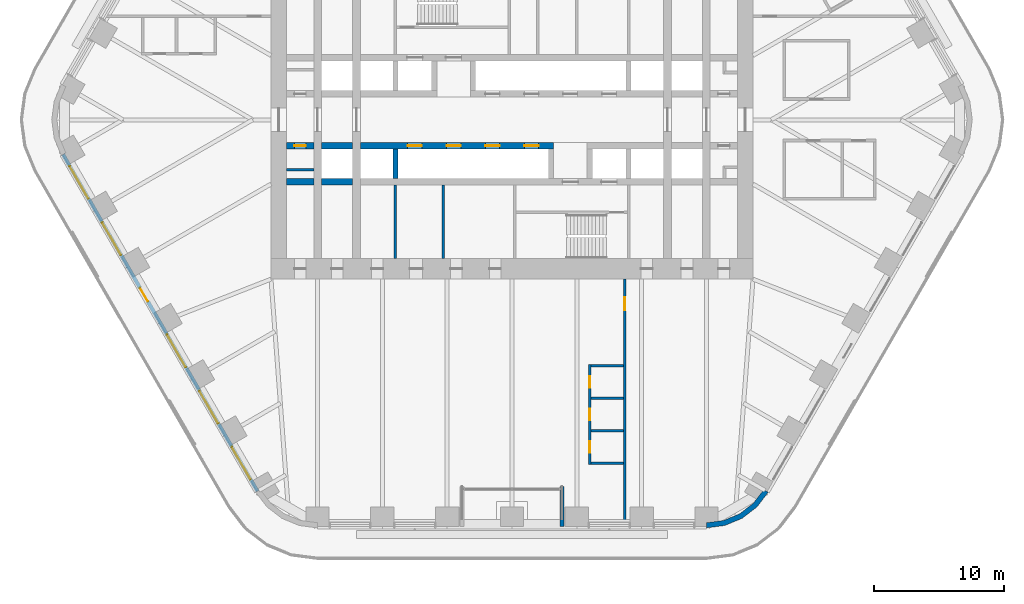
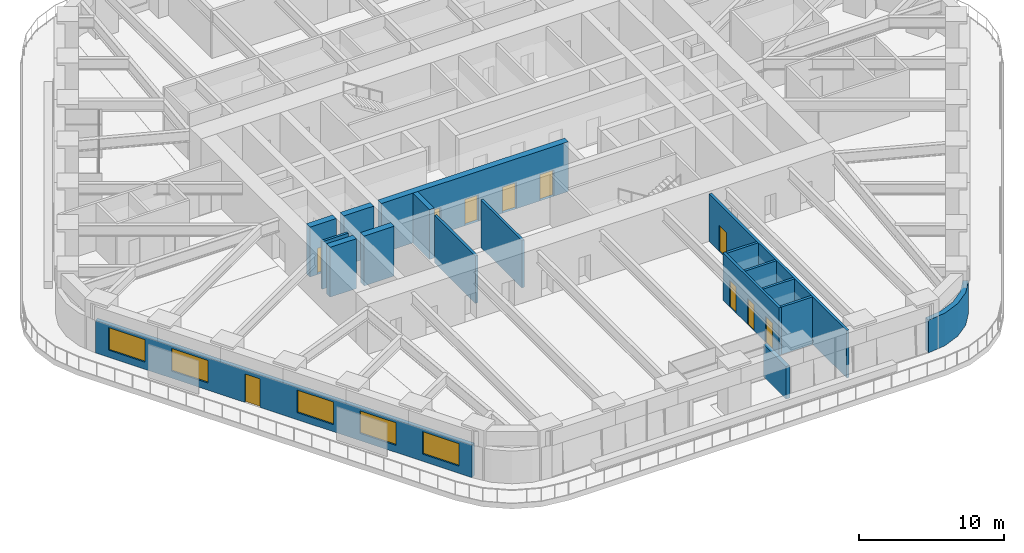
# One storey, part 17 of 24: 18 walls, 10 doors, 5 windows, 15 openings.
"""IFC4 building model written with IfcOpenShell, lengths in metres."""

from ifc_helpers import new_model, si_unit, direction, frame, frame_2d, origin, place, context, subcontext, project, spatial, polyline, rectangle, outline, extrude, material, layer, layer_set, type_object, element, fill, save


model = new_model("IFC4")

# Units and contexts
model_context = context("Model", 3, precision=1e-05, world=origin(), true_north=direction((0.0, 1.0)))
body_context = subcontext(model_context, "Body", "Model", "MODEL_VIEW")
ifc_project = project(units=[si_unit("LENGTHUNIT", "METRE"), si_unit("AREAUNIT", "SQUARE_METRE"), si_unit("VOLUMEUNIT", "CUBIC_METRE"), si_unit("PLANEANGLEUNIT", "RADIAN"), si_unit("MASSUNIT", "GRAM", prefix="KILO")], contexts=[model_context])

# Site, building, storey
site_placement = place(None, origin())
site = spatial("IfcSite", under=ifc_project, at=site_placement, CompositionType="ELEMENT")
building_placement = place(site_placement, origin())
building = spatial("IfcBuilding", under=site, at=building_placement, Name="Tarfa Lantern Tower", CompositionType="ELEMENT")
storey_placement = place(building_placement, frame((0.0, 0.0, 136.300048828125)))
storey = spatial("IfcBuildingStorey", under=building, at=storey_placement, Name="L30", CompositionType="ELEMENT", Elevation=136.300048828125)

# Wall, openings, door, windows
ifc_material_1 = material(Name="Limestone cladding on blockwork", Category="masonry")
ifc_layer_1 = layer(ifc_material_1, 0.300048828125)
ifc_layer_set_1 = layer_set([ifc_layer_1], Name="EW1 STONE-CLAD WALL 300")
wall_type_1 = type_object("IfcWallType", Name="EW1 STONE-CLAD WALL 300", PredefinedType="SOLIDWALL", material=ifc_layer_set_1)
wall_1_placement = place(storey_placement, frame((-34.655517578125, -2.675048828125, 0.0), z_axis=(0.0, 0.0, 1.0), x_axis=(0.500003084452, -0.866023622968, 0.0)))
wall_1 = element("IfcWall", 1, at=wall_1_placement, inside=storey, type_object=wall_type_1, Name="Stone wall SW", PredefinedType="SOLIDWALL", context=body_context, shape_type="SweptSolid", body=[
    extrude(rectangle(XDim=30.022216796875, YDim=0.300048828125, at=frame_2d((15.01123046875, 0.0))), origin(), (0.0, 0.0, 1.0), 2.75),
])
opening_1_placement = place(wall_1_placement, frame((1.0517578125, 0.0, 0.60009765625)))
opening_1 = element("IfcOpeningElement", 2, at=opening_1_placement, cuts=wall_1, Name="Opening W9", PredefinedType="OPENING", context=body_context, shape_type="SweptSolid", body=[
    extrude(rectangle(XDim=2.89990234375, YDim=1.89990234375, at=frame_2d((1.449951171875, 0.949951171875))), frame((0.0, 0.159912109375, 0.0), z_axis=(0.0, -1.0, 0.0), x_axis=(1.0, 0.0, 0.0)), (0.0, 0.0, 1.0), 0.320068359375),
])
opening_2_placement = place(wall_1_placement, frame((6.0556640625, 0.0, 0.60009765625)))
opening_2 = element("IfcOpeningElement", 3, at=opening_2_placement, cuts=wall_1, Name="Opening W9", PredefinedType="OPENING", context=body_context, shape_type="SweptSolid", body=[
    extrude(rectangle(XDim=2.89990234375, YDim=1.89990234375, at=frame_2d((1.449951171875, 0.949951171875))), frame((0.0, 0.159912109375, 0.0), z_axis=(0.0, -1.0, 0.0), x_axis=(1.0, 0.0, 0.0)), (0.0, 0.0, 1.0), 0.320068359375),
])
opening_3_placement = place(wall_1_placement, frame((11.9091796875, 0.0, 0.0)))
opening_3 = element("IfcOpeningElement", 4, at=opening_3_placement, cuts=wall_1, Name="Opening D51", PredefinedType="OPENING", context=body_context, shape_type="SweptSolid", body=[
    extrude(rectangle(XDim=1.199951171875, YDim=2.39990234375, at=frame_2d((0.60009765625, 1.199951171875))), frame((0.0, 0.159912109375, 0.0), z_axis=(0.0, -1.0, 0.0), x_axis=(1.0, 0.0, 0.0)), (0.0, 0.0, 1.0), 0.320068359375),
])
opening_4_placement = place(wall_1_placement, frame((16.06298828125, 0.0, 0.60009765625)))
opening_4 = element("IfcOpeningElement", 5, at=opening_4_placement, cuts=wall_1, Name="Opening W9", PredefinedType="OPENING", context=body_context, shape_type="SweptSolid", body=[
    extrude(rectangle(XDim=2.89990234375, YDim=1.89990234375, at=frame_2d((1.449951171875, 0.949951171875))), frame((0.0, 0.159912109375, 0.0), z_axis=(0.0, -1.0, 0.0), x_axis=(1.0, 0.0, 0.0)), (0.0, 0.0, 1.0), 0.320068359375),
])
opening_5_placement = place(wall_1_placement, frame((21.066650390625, 0.0, 0.60009765625)))
opening_5 = element("IfcOpeningElement", 6, at=opening_5_placement, cuts=wall_1, Name="Opening W9", PredefinedType="OPENING", context=body_context, shape_type="SweptSolid", body=[
    extrude(rectangle(XDim=2.89990234375, YDim=1.89990234375, at=frame_2d((1.449951171875, 0.949951171875))), frame((0.0, 0.159912109375, 0.0), z_axis=(0.0, -1.0, 0.0), x_axis=(1.0, 0.0, 0.0)), (0.0, 0.0, 1.0), 0.320068359375),
])
opening_6_placement = place(wall_1_placement, frame((26.0703125, 0.0, 0.60009765625)))
opening_6 = element("IfcOpeningElement", 7, at=opening_6_placement, cuts=wall_1, Name="Opening W9", PredefinedType="OPENING", context=body_context, shape_type="SweptSolid", body=[
    extrude(rectangle(XDim=2.89990234375, YDim=1.89990234375, at=frame_2d((1.449951171875, 0.949951171875))), frame((0.0, 0.159912109375, 0.0), z_axis=(0.0, -1.0, 0.0), x_axis=(1.0, 0.0, 0.0)), (0.0, 0.0, 1.0), 0.320068359375),
])
ifc_material_2 = material(Name="Aluminium framed glazed door", Category="aluminium")
door_type_1 = type_object("IfcDoorType", Name="BE3 BALCONY DOOR 1200x2400", OperationType="SINGLE_SWING_RIGHT", PredefinedType="DOOR", material=ifc_material_2)
door_1_placement = place(opening_3_placement, origin())
door_1 = element("IfcDoor", 8, at=door_1_placement, inside=storey, type_object=door_type_1, Name="Balcony door SW", OperationType="SINGLE_SWING_RIGHT", OverallHeight=2.39990234375, OverallWidth=1.199951171875, PredefinedType="DOOR", context=body_context, shape_type="SweptSolid", body=[
    extrude(rectangle(XDim=1.199951171875, YDim=2.39990234375, at=frame_2d((0.60009765625, 1.199951171875))), frame((0.0, 0.02490234375, 0.0), z_axis=(0.0, -1.0, 0.0), x_axis=(1.0, 0.0, 0.0)), (0.0, 0.0, 1.0), 0.050048828125),
])
fill(opening_3, door_1)
ifc_material_3 = material(Name="Aluminium frame, double glazed", Category="aluminium")
window_type = type_object("IfcWindowType", Name="W9 FULL-HEIGHT GLAZING 2900x1900", PartitioningType="SINGLE_PANEL", PredefinedType="WINDOW", material=ifc_material_3)
window_1_placement = place(opening_1_placement, origin())
window_1 = element("IfcWindow", 9, at=window_1_placement, inside=storey, type_object=window_type, Name="Window SW 1", OverallHeight=1.89990234375, OverallWidth=2.89990234375, PartitioningType="SINGLE_PANEL", PredefinedType="WINDOW", context=body_context, shape_type="SweptSolid", body=[
    extrude(rectangle(XDim=2.89990234375, YDim=1.89990234375, at=frame_2d((1.449951171875, 0.949951171875))), frame((0.0, 0.030029296875, 0.0), z_axis=(0.0, -1.0, 0.0), x_axis=(1.0, 0.0, 0.0)), (0.0, 0.0, 1.0), 0.06005859375),
])
fill(opening_1, window_1)
window_2_placement = place(opening_2_placement, origin())
window_2 = element("IfcWindow", 10, at=window_2_placement, inside=storey, type_object=window_type, Name="Window SW 2", OverallHeight=1.89990234375, OverallWidth=2.89990234375, PartitioningType="SINGLE_PANEL", PredefinedType="WINDOW", context=body_context, shape_type="SweptSolid", body=[
    extrude(rectangle(XDim=2.89990234375, YDim=1.89990234375, at=frame_2d((1.449951171875, 0.949951171875))), frame((0.0, 0.030029296875, 0.0), z_axis=(0.0, -1.0, 0.0), x_axis=(1.0, 0.0, 0.0)), (0.0, 0.0, 1.0), 0.06005859375),
])
fill(opening_2, window_2)
window_3_placement = place(opening_4_placement, origin())
window_3 = element("IfcWindow", 11, at=window_3_placement, inside=storey, type_object=window_type, Name="Window SW 4", OverallHeight=1.89990234375, OverallWidth=2.89990234375, PartitioningType="SINGLE_PANEL", PredefinedType="WINDOW", context=body_context, shape_type="SweptSolid", body=[
    extrude(rectangle(XDim=2.89990234375, YDim=1.89990234375, at=frame_2d((1.449951171875, 0.949951171875))), frame((0.0, 0.030029296875, 0.0), z_axis=(0.0, -1.0, 0.0), x_axis=(1.0, 0.0, 0.0)), (0.0, 0.0, 1.0), 0.06005859375),
])
fill(opening_4, window_3)
window_4_placement = place(opening_5_placement, origin())
window_4 = element("IfcWindow", 12, at=window_4_placement, inside=storey, type_object=window_type, Name="Window SW 5", OverallHeight=1.89990234375, OverallWidth=2.89990234375, PartitioningType="SINGLE_PANEL", PredefinedType="WINDOW", context=body_context, shape_type="SweptSolid", body=[
    extrude(rectangle(XDim=2.89990234375, YDim=1.89990234375, at=frame_2d((1.449951171875, 0.949951171875))), frame((0.0, 0.030029296875, 0.0), z_axis=(0.0, -1.0, 0.0), x_axis=(1.0, 0.0, 0.0)), (0.0, 0.0, 1.0), 0.06005859375),
])
fill(opening_5, window_4)
window_5_placement = place(opening_6_placement, origin())
window_5 = element("IfcWindow", 13, at=window_5_placement, inside=storey, type_object=window_type, Name="Window SW 6", OverallHeight=1.89990234375, OverallWidth=2.89990234375, PartitioningType="SINGLE_PANEL", PredefinedType="WINDOW", context=body_context, shape_type="SweptSolid", body=[
    extrude(rectangle(XDim=2.89990234375, YDim=1.89990234375, at=frame_2d((1.449951171875, 0.949951171875))), frame((0.0, 0.030029296875, 0.0), z_axis=(0.0, -1.0, 0.0), x_axis=(1.0, 0.0, 0.0)), (0.0, 0.0, 1.0), 0.06005859375),
])
fill(opening_6, window_5)

# Walls
wall_2_placement = place(storey_placement, frame((3.853759765625, -31.39990234375, 0.0), z_axis=(0.0, 0.0, 1.0), x_axis=(0.0, 1.0, 0.0)))
element("IfcWall", 14, at=wall_2_placement, inside=storey, type_object=wall_type_1, Name="Loggia return S 2", PredefinedType="SOLIDWALL", context=body_context, shape_type="SweptSolid", body=[
    extrude(rectangle(XDim=3.099853515625, YDim=0.300048828125, at=frame_2d((1.5498046875, 0.0))), origin(), (0.0, 0.0, 1.0), 2.75),
])
ifc_layer_2 = layer(ifc_material_1, 0.39990234375)
ifc_layer_set_2 = layer_set([ifc_layer_2], Name="EW2 CURVED STONE CORNER 400")
wall_type_2 = type_object("IfcWallType", Name="EW2 CURVED STONE CORNER 400", PredefinedType="SOLIDWALL", material=ifc_layer_set_2)
wall_3_placement = place(storey_placement, origin())
element("IfcWall", 15, at=wall_3_placement, inside=storey, type_object=wall_type_2, Name="Stone corner S-SE", PredefinedType="SOLIDWALL", context=body_context, shape_type="SweptSolid", body=[
    extrude(outline(polyline([(15.010986328125, -31.5), (16.4345703125, -31.3125), (17.760986328125, -30.76318359375), (18.900146484375, -29.88916015625), (19.774169921875, -28.75), (19.427734375, -28.550048828125), (18.617431640625, -29.606201171875), (17.56103515625, -30.416748046875), (16.3310546875, -30.92626953125), (15.010986328125, -31.10009765625), (15.010986328125, -31.5)])), origin(), (0.0, 0.0, 1.0), 2.75),
])
ifc_material_4 = material(Name="Concrete blockwork", Category="masonry")
ifc_layer_3 = layer(ifc_material_4, 0.199951171875)
ifc_layer_set_3 = layer_set([ifc_layer_3], Name="IW1 BLOCKWORK PARTITION 200 EI 120")
wall_type_3 = type_object("IfcWallType", Name="IW1 BLOCKWORK PARTITION 200 EI 120", PredefinedType="PARTITIONING", material=ifc_layer_set_3)
for number, where, z_axis, x_axis, name in (
    (16, (-9.0, -5.050048828125, 0.0), (0.0, 0.0, 1.0), (0.0, -1.0, 0.0), "Core partition"),
    (17, (-5.300048828125, -5.050048828125, 0.0), (0.0, 0.0, 1.0), (0.0, -1.0, 0.0), "Core partition"),
):
    element("IfcWall", number, at=place(storey_placement, frame(where, z_axis=z_axis, x_axis=x_axis)), inside=storey, type_object=wall_type_3, Name=name, PredefinedType="PARTITIONING", context=body_context, shape_type="SweptSolid", body=[
        extrude(rectangle(XDim=5.64990234375, YDim=0.199951171875, at=frame_2d((2.824951171875, 0.0))), origin(), (0.0, 0.0, 1.0), 4.0),
    ])
wall_4_placement = place(storey_placement, frame((-15.300048828125, -3.85009765625, 0.0), z_axis=(0.0, 0.0, 1.0), x_axis=(-1.0, 0.0, 0.0)))
element("IfcWall", 18, at=wall_4_placement, inside=storey, type_object=wall_type_3, Name="Core partition", PredefinedType="PARTITIONING", context=body_context, shape_type="SweptSolid", body=[
    extrude(rectangle(XDim=2.099853515625, YDim=0.199951171875, at=frame_2d((1.0498046875, 0.0))), origin(), (0.0, 0.0, 1.0), 4.0),
])

# Wall, opening, door
ifc_material_5 = material(Name="Gypsum board on steel studs", Category="steel")
ifc_layer_4 = layer(ifc_material_5, 0.2099609375)
ifc_layer_set_4 = layer_set([ifc_layer_4], Name="IW2 ACOUSTIC PARTITION 200")
wall_type_4 = type_object("IfcWallType", Name="IW2 ACOUSTIC PARTITION 200", PredefinedType="PARTITIONING", material=ifc_layer_set_4)
wall_5_placement = place(storey_placement, frame((8.699951171875, -12.300048828125, 0.0), z_axis=(0.0, 0.0, 1.0), x_axis=(0.0, -1.0, 0.0)))
wall_5 = element("IfcWall", 19, at=wall_5_placement, inside=storey, type_object=wall_type_4, Name="Partition", PredefinedType="PARTITIONING", context=body_context, shape_type="SweptSolid", body=[
    extrude(rectangle(XDim=19.0, YDim=0.199951171875, at=frame_2d((9.5, 0.0))), origin(), (0.0, 0.0, 1.0), 4.0),
])
opening_7_placement = place(wall_5_placement, frame((1.39990234375, 0.0, 0.0)))
opening_7 = element("IfcOpeningElement", 20, at=opening_7_placement, cuts=wall_5, Name="Opening D47", PredefinedType="OPENING", context=body_context, shape_type="SweptSolid", body=[
    extrude(rectangle(XDim=1.0, YDim=2.199951171875, at=frame_2d((0.5, 1.10009765625))), frame((0.0, 0.10986328125, 0.0), z_axis=(0.0, -1.0, 0.0), x_axis=(1.0, 0.0, 0.0)), (0.0, 0.0, 1.0), 0.219970703125),
])
ifc_material_6 = material(Name="Timber door", Category="wood")
door_type_2 = type_object("IfcDoorType", Name="DR1 ROOM DOOR 1000x2200", OperationType="SINGLE_SWING_LEFT", PredefinedType="DOOR", material=ifc_material_6)
door_2_placement = place(opening_7_placement, origin())
door_2 = element("IfcDoor", 21, at=door_2_placement, inside=storey, type_object=door_type_2, Name="Zone door", OperationType="SINGLE_SWING_RIGHT", OverallHeight=2.199951171875, OverallWidth=1.0, PredefinedType="DOOR", context=body_context, shape_type="SweptSolid", body=[
    extrude(rectangle(XDim=1.0, YDim=2.199951171875, at=frame_2d((0.5, 1.10009765625))), frame((0.0, 0.02490234375, 0.0), z_axis=(0.0, -1.0, 0.0), x_axis=(1.0, 0.0, 0.0)), (0.0, 0.0, 1.0), 0.050048828125),
])
fill(opening_7, door_2)

# Wall, openings, doors
wall_6_placement = place(storey_placement, frame((6.0, -18.89990234375, 0.0), z_axis=(0.0, 0.0, 1.0), x_axis=(0.0, -1.0, 0.0)))
wall_6 = element("IfcWall", 22, at=wall_6_placement, inside=storey, type_object=wall_type_4, Name="Partition", PredefinedType="PARTITIONING", context=body_context, shape_type="SweptSolid", body=[
    extrude(rectangle(XDim=7.7001953125, YDim=0.199951171875, at=frame_2d((3.85009765625, 0.0))), origin(), (0.0, 0.0, 1.0), 4.0),
])
opening_8_placement = place(wall_6_placement, frame((0.89990234375, 0.0, 0.0)))
opening_8 = element("IfcOpeningElement", 23, at=opening_8_placement, cuts=wall_6, Name="Opening D43", PredefinedType="OPENING", context=body_context, shape_type="SweptSolid", body=[
    extrude(rectangle(XDim=0.89990234375, YDim=2.199951171875, at=frame_2d((0.449951171875, 1.10009765625))), frame((0.0, 0.10986328125, 0.0), z_axis=(0.0, -1.0, 0.0), x_axis=(1.0, 0.0, 0.0)), (0.0, 0.0, 1.0), 0.219970703125),
])
opening_9_placement = place(wall_6_placement, frame((3.39990234375, 0.0, 0.0)))
opening_9 = element("IfcOpeningElement", 24, at=opening_9_placement, cuts=wall_6, Name="Opening D44", PredefinedType="OPENING", context=body_context, shape_type="SweptSolid", body=[
    extrude(rectangle(XDim=0.89990234375, YDim=2.199951171875, at=frame_2d((0.449951171875, 1.10009765625))), frame((0.0, 0.10986328125, 0.0), z_axis=(0.0, -1.0, 0.0), x_axis=(1.0, 0.0, 0.0)), (0.0, 0.0, 1.0), 0.219970703125),
])
opening_10_placement = place(wall_6_placement, frame((5.89990234375, 0.0, 0.0)))
opening_10 = element("IfcOpeningElement", 25, at=opening_10_placement, cuts=wall_6, Name="Opening D45", PredefinedType="OPENING", context=body_context, shape_type="SweptSolid", body=[
    extrude(rectangle(XDim=0.89990234375, YDim=2.199951171875, at=frame_2d((0.449951171875, 1.10009765625))), frame((0.0, 0.10986328125, 0.0), z_axis=(0.0, -1.0, 0.0), x_axis=(1.0, 0.0, 0.0)), (0.0, 0.0, 1.0), 0.219970703125),
])
door_type_3 = type_object("IfcDoorType", Name="DR3 ROOM DOOR 900x2200", OperationType="SINGLE_SWING_LEFT", PredefinedType="DOOR", material=ifc_material_6)
door_3_placement = place(opening_8_placement, origin())
door_3 = element("IfcDoor", 26, at=door_3_placement, inside=storey, type_object=door_type_3, Name="Focus room door", OperationType="SINGLE_SWING_RIGHT", OverallHeight=2.199951171875, OverallWidth=0.89990234375, PredefinedType="DOOR", context=body_context, shape_type="SweptSolid", body=[
    extrude(rectangle(XDim=0.89990234375, YDim=2.199951171875, at=frame_2d((0.449951171875, 1.10009765625))), frame((0.0, 0.02490234375, 0.0), z_axis=(0.0, -1.0, 0.0), x_axis=(1.0, 0.0, 0.0)), (0.0, 0.0, 1.0), 0.050048828125),
])
fill(opening_8, door_3)
door_4_placement = place(opening_9_placement, origin())
door_4 = element("IfcDoor", 27, at=door_4_placement, inside=storey, type_object=door_type_3, Name="Focus room door", OperationType="SINGLE_SWING_RIGHT", OverallHeight=2.199951171875, OverallWidth=0.89990234375, PredefinedType="DOOR", context=body_context, shape_type="SweptSolid", body=[
    extrude(rectangle(XDim=0.89990234375, YDim=2.199951171875, at=frame_2d((0.449951171875, 1.10009765625))), frame((0.0, 0.02490234375, 0.0), z_axis=(0.0, -1.0, 0.0), x_axis=(1.0, 0.0, 0.0)), (0.0, 0.0, 1.0), 0.050048828125),
])
fill(opening_9, door_4)
door_5_placement = place(opening_10_placement, origin())
door_5 = element("IfcDoor", 28, at=door_5_placement, inside=storey, type_object=door_type_3, Name="Focus room door", OperationType="SINGLE_SWING_LEFT", OverallHeight=2.199951171875, OverallWidth=0.89990234375, PredefinedType="DOOR", context=body_context, shape_type="SweptSolid", body=[
    extrude(rectangle(XDim=0.89990234375, YDim=2.199951171875, at=frame_2d((0.449951171875, 1.10009765625))), frame((0.0, 0.02490234375, 0.0), z_axis=(0.0, -1.0, 0.0), x_axis=(1.0, 0.0, 0.0)), (0.0, 0.0, 1.0), 0.050048828125),
])
fill(opening_10, door_5)

# Walls
for number, where, z_axis, x_axis, name in (
    (29, (8.60009765625, -19.0, 0.0), (0.0, 0.0, 1.0), (-1.0, 0.0, 0.0), "Partition"),
    (30, (8.60009765625, -21.5, 0.0), (0.0, 0.0, 1.0), (-1.0, 0.0, 0.0), "Partition"),
    (31, (8.60009765625, -24.0, 0.0), (0.0, 0.0, 1.0), (-1.0, 0.0, 0.0), "Partition"),
    (32, (8.60009765625, -26.5, 0.0), (0.0, 0.0, 1.0), (-1.0, 0.0, 0.0), "Partition"),
):
    element("IfcWall", number, at=place(storey_placement, frame(where, z_axis=z_axis, x_axis=x_axis)), inside=storey, type_object=wall_type_4, Name=name, PredefinedType="PARTITIONING", context=body_context, shape_type="SweptSolid", body=[
        extrude(rectangle(XDim=2.5, YDim=0.199951171875, at=frame_2d((1.25, 0.0))), origin(), (0.0, 0.0, 1.0), 4.0),
    ])

# Wall, openings, doors
ifc_material_7 = material(Name="Concrete C80/95", Category="concrete")
ifc_layer_5 = layer(ifc_material_7, 0.5)
ifc_layer_set_5 = layer_set([ifc_layer_5], Name="SW5 CORE WALL 500")
wall_type_5 = type_object("IfcWallType", Name="SW5 CORE WALL 500", PredefinedType="SHEAR", material=ifc_layer_set_5)
wall_7_placement = place(storey_placement, frame((3.199951171875, -2.0, 0.0), z_axis=(0.0, 0.0, 1.0), x_axis=(-1.0, 0.0, 0.0)))
wall_7 = element("IfcWall", 33, at=wall_7_placement, inside=storey, type_object=wall_type_5, Name="Core wall lobby east S", PredefinedType="SHEAR", context=body_context, shape_type="SweptSolid", body=[
    extrude(rectangle(XDim=14.89990234375, YDim=0.5, at=frame_2d((7.449951171875, 0.0))), origin(), (0.0, 0.0, 1.0), 4.199951171875),
])
opening_11_placement = place(wall_7_placement, frame((1.14990234375, 0.0, 0.0)))
opening_11 = element("IfcOpeningElement", 34, at=opening_11_placement, cuts=wall_7, Name="Opening LD07", PredefinedType="OPENING", context=body_context, shape_type="SweptSolid", body=[
    extrude(rectangle(XDim=1.10009765625, YDim=2.199951171875, at=frame_2d((0.550048828125, 1.10009765625))), frame((0.0, 0.260009765625, 0.0), z_axis=(0.0, -1.0, 0.0), x_axis=(1.0, 0.0, 0.0)), (0.0, 0.0, 1.0), 0.52001953125),
])
opening_12_placement = place(wall_7_placement, frame((4.14990234375, 0.0, 0.0)))
opening_12 = element("IfcOpeningElement", 35, at=opening_12_placement, cuts=wall_7, Name="Opening LD08", PredefinedType="OPENING", context=body_context, shape_type="SweptSolid", body=[
    extrude(rectangle(XDim=1.10009765625, YDim=2.199951171875, at=frame_2d((0.550048828125, 1.10009765625))), frame((0.0, 0.260009765625, 0.0), z_axis=(0.0, -1.0, 0.0), x_axis=(1.0, 0.0, 0.0)), (0.0, 0.0, 1.0), 0.52001953125),
])
opening_13_placement = place(wall_7_placement, frame((7.14990234375, 0.0, 0.0)))
opening_13 = element("IfcOpeningElement", 36, at=opening_13_placement, cuts=wall_7, Name="Opening LD09", PredefinedType="OPENING", context=body_context, shape_type="SweptSolid", body=[
    extrude(rectangle(XDim=1.10009765625, YDim=2.199951171875, at=frame_2d((0.550048828125, 1.10009765625))), frame((0.0, 0.260009765625, 0.0), z_axis=(0.0, -1.0, 0.0), x_axis=(1.0, 0.0, 0.0)), (0.0, 0.0, 1.0), 0.52001953125),
])
opening_14_placement = place(wall_7_placement, frame((10.14990234375, 0.0, 0.0)))
opening_14 = element("IfcOpeningElement", 37, at=opening_14_placement, cuts=wall_7, Name="Opening LD10", PredefinedType="OPENING", context=body_context, shape_type="SweptSolid", body=[
    extrude(rectangle(XDim=1.10009765625, YDim=2.199951171875, at=frame_2d((0.550048828125, 1.10009765625))), frame((0.0, 0.260009765625, 0.0), z_axis=(0.0, -1.0, 0.0), x_axis=(1.0, 0.0, 0.0)), (0.0, 0.0, 1.0), 0.52001953125),
])
ifc_material_8 = material(Name="Stainless steel lift door", Category="steel")
door_type_4 = type_object("IfcDoorType", Name="LD2 LIFT LANDING DOOR 1100x2200", OperationType="SLIDING_TO_LEFT", PredefinedType="DOOR", material=ifc_material_8)
door_6_placement = place(opening_11_placement, frame((1.10009765625, 0.0, 0.0), z_axis=(0.0, 0.0, 1.0), x_axis=(-1.0, 0.0, 0.0)))
door_6 = element("IfcDoor", 38, at=door_6_placement, inside=storey, type_object=door_type_4, Name="Landing door PB5", OperationType="SLIDING_TO_LEFT", OverallHeight=2.199951171875, OverallWidth=1.10009765625, PredefinedType="DOOR", context=body_context, shape_type="SweptSolid", body=[
    extrude(rectangle(XDim=1.10009765625, YDim=2.199951171875, at=frame_2d((0.550048828125, 1.10009765625))), frame((0.0, 0.02490234375, 0.0), z_axis=(0.0, -1.0, 0.0), x_axis=(1.0, 0.0, 0.0)), (0.0, 0.0, 1.0), 0.050048828125),
])
fill(opening_11, door_6)
door_7_placement = place(opening_12_placement, frame((1.10009765625, 0.0, 0.0), z_axis=(0.0, 0.0, 1.0), x_axis=(-1.0, 0.0, 0.0)))
door_7 = element("IfcDoor", 39, at=door_7_placement, inside=storey, type_object=door_type_4, Name="Landing door PB6", OperationType="SLIDING_TO_LEFT", OverallHeight=2.199951171875, OverallWidth=1.10009765625, PredefinedType="DOOR", context=body_context, shape_type="SweptSolid", body=[
    extrude(rectangle(XDim=1.10009765625, YDim=2.199951171875, at=frame_2d((0.550048828125, 1.10009765625))), frame((0.0, 0.02490234375, 0.0), z_axis=(0.0, -1.0, 0.0), x_axis=(1.0, 0.0, 0.0)), (0.0, 0.0, 1.0), 0.050048828125),
])
fill(opening_12, door_7)
door_8_placement = place(opening_13_placement, frame((1.10009765625, 0.0, 0.0), z_axis=(0.0, 0.0, 1.0), x_axis=(-1.0, 0.0, 0.0)))
door_8 = element("IfcDoor", 40, at=door_8_placement, inside=storey, type_object=door_type_4, Name="Landing door PB7", OperationType="SLIDING_TO_LEFT", OverallHeight=2.199951171875, OverallWidth=1.10009765625, PredefinedType="DOOR", context=body_context, shape_type="SweptSolid", body=[
    extrude(rectangle(XDim=1.10009765625, YDim=2.199951171875, at=frame_2d((0.550048828125, 1.10009765625))), frame((0.0, 0.02490234375, 0.0), z_axis=(0.0, -1.0, 0.0), x_axis=(1.0, 0.0, 0.0)), (0.0, 0.0, 1.0), 0.050048828125),
])
fill(opening_13, door_8)
door_9_placement = place(opening_14_placement, frame((1.10009765625, 0.0, 0.0), z_axis=(0.0, 0.0, 1.0), x_axis=(-1.0, 0.0, 0.0)))
door_9 = element("IfcDoor", 41, at=door_9_placement, inside=storey, type_object=door_type_4, Name="Landing door PB8", OperationType="SLIDING_TO_LEFT", OverallHeight=2.199951171875, OverallWidth=1.10009765625, PredefinedType="DOOR", context=body_context, shape_type="SweptSolid", body=[
    extrude(rectangle(XDim=1.10009765625, YDim=2.199951171875, at=frame_2d((0.550048828125, 1.10009765625))), frame((0.0, 0.02490234375, 0.0), z_axis=(0.0, -1.0, 0.0), x_axis=(1.0, 0.0, 0.0)), (0.0, 0.0, 1.0), 0.050048828125),
])
fill(opening_14, door_9)

# Wall
wall_8_placement = place(storey_placement, frame((-12.300048828125, -2.0, 0.0), z_axis=(0.0, 0.0, 1.0), x_axis=(-1.0, 0.0, 0.0)))
element("IfcWall", 42, at=wall_8_placement, inside=storey, type_object=wall_type_5, Name="Core wall lobby east S", PredefinedType="SHEAR", context=body_context, shape_type="SweptSolid", body=[
    extrude(rectangle(XDim=2.39990234375, YDim=0.5, at=frame_2d((1.199951171875, 0.0))), origin(), (0.0, 0.0, 1.0), 4.199951171875),
])

# Wall, opening, door
wall_9_placement = place(storey_placement, frame((-15.300048828125, -2.0, 0.0), z_axis=(0.0, 0.0, 1.0), x_axis=(-1.0, 0.0, 0.0)))
wall_9 = element("IfcWall", 43, at=wall_9_placement, inside=storey, type_object=wall_type_5, Name="Core wall lobby east S", PredefinedType="SHEAR", context=body_context, shape_type="SweptSolid", body=[
    extrude(rectangle(XDim=2.099853515625, YDim=0.5, at=frame_2d((1.0498046875, 0.0))), origin(), (0.0, 0.0, 1.0), 4.199951171875),
])
opening_15_placement = place(wall_9_placement, frame((0.60009765625, 0.0, 0.0)))
opening_15 = element("IfcOpeningElement", 44, at=opening_15_placement, cuts=wall_9, Name="Opening D18", PredefinedType="OPENING", context=body_context, shape_type="SweptSolid", body=[
    extrude(rectangle(XDim=0.89990234375, YDim=2.199951171875, at=frame_2d((0.449951171875, 1.10009765625))), frame((0.0, 0.260009765625, 0.0), z_axis=(0.0, -1.0, 0.0), x_axis=(1.0, 0.0, 0.0)), (0.0, 0.0, 1.0), 0.52001953125),
])
ifc_material_9 = material(Name="Steel fire door", Category="steel")
door_type_5 = type_object("IfcDoorType", Name="DF6 SERVICE ROOM DOOR 900x2200", OperationType="SINGLE_SWING_LEFT", PredefinedType="DOOR", material=ifc_material_9)
door_10_placement = place(opening_15_placement, origin())
door_10 = element("IfcDoor", 45, at=door_10_placement, inside=storey, type_object=door_type_5, Name="Service room door", OperationType="SINGLE_SWING_LEFT", OverallHeight=2.199951171875, OverallWidth=0.89990234375, PredefinedType="DOOR", context=body_context, shape_type="SweptSolid", body=[
    extrude(rectangle(XDim=0.89990234375, YDim=2.199951171875, at=frame_2d((0.449951171875, 1.10009765625))), frame((0.0, 0.02490234375, 0.0), z_axis=(0.0, -1.0, 0.0), x_axis=(1.0, 0.0, 0.0)), (0.0, 0.0, 1.0), 0.050048828125),
])
fill(opening_15, door_10)

# Walls
wall_10_placement = place(storey_placement, frame((-12.300048828125, -4.800048828125, 0.0), z_axis=(0.0, 0.0, 1.0), x_axis=(-1.0, 0.0, 0.0)))
element("IfcWall", 46, at=wall_10_placement, inside=storey, type_object=wall_type_5, Name="Core wall rear S", PredefinedType="SHEAR", context=body_context, shape_type="SweptSolid", body=[
    extrude(rectangle(XDim=2.39990234375, YDim=0.5, at=frame_2d((1.199951171875, 0.0))), origin(), (0.0, 0.0, 1.0), 4.199951171875),
])
wall_11_placement = place(storey_placement, frame((-15.300048828125, -4.800048828125, 0.0), z_axis=(0.0, 0.0, 1.0), x_axis=(-1.0, 0.0, 0.0)))
element("IfcWall", 47, at=wall_11_placement, inside=storey, type_object=wall_type_5, Name="Core wall rear S", PredefinedType="SHEAR", context=body_context, shape_type="SweptSolid", body=[
    extrude(rectangle(XDim=2.099853515625, YDim=0.5, at=frame_2d((1.0498046875, 0.0))), origin(), (0.0, 0.0, 1.0), 4.199951171875),
])
ifc_layer_6 = layer(ifc_material_7, 0.39990234375)
ifc_layer_set_6 = layer_set([ifc_layer_6], Name="SW6 CORE WALL 400")
wall_type_6 = type_object("IfcWallType", Name="SW6 CORE WALL 400", PredefinedType="SHEAR", material=ifc_layer_set_6)
wall_12_placement = place(storey_placement, frame((-9.0, -2.25, 0.0), z_axis=(0.0, 0.0, 1.0), x_axis=(0.0, -1.0, 0.0)))
element("IfcWall", 48, at=wall_12_placement, inside=storey, type_object=wall_type_6, Name="Core wall divider S", PredefinedType="SHEAR", context=body_context, shape_type="SweptSolid", body=[
    extrude(rectangle(XDim=2.300048828125, YDim=0.39990234375, at=frame_2d((1.14990234375, 0.0))), origin(), (0.0, 0.0, 1.0), 4.199951171875),
])

save(model, "model.ifc")
